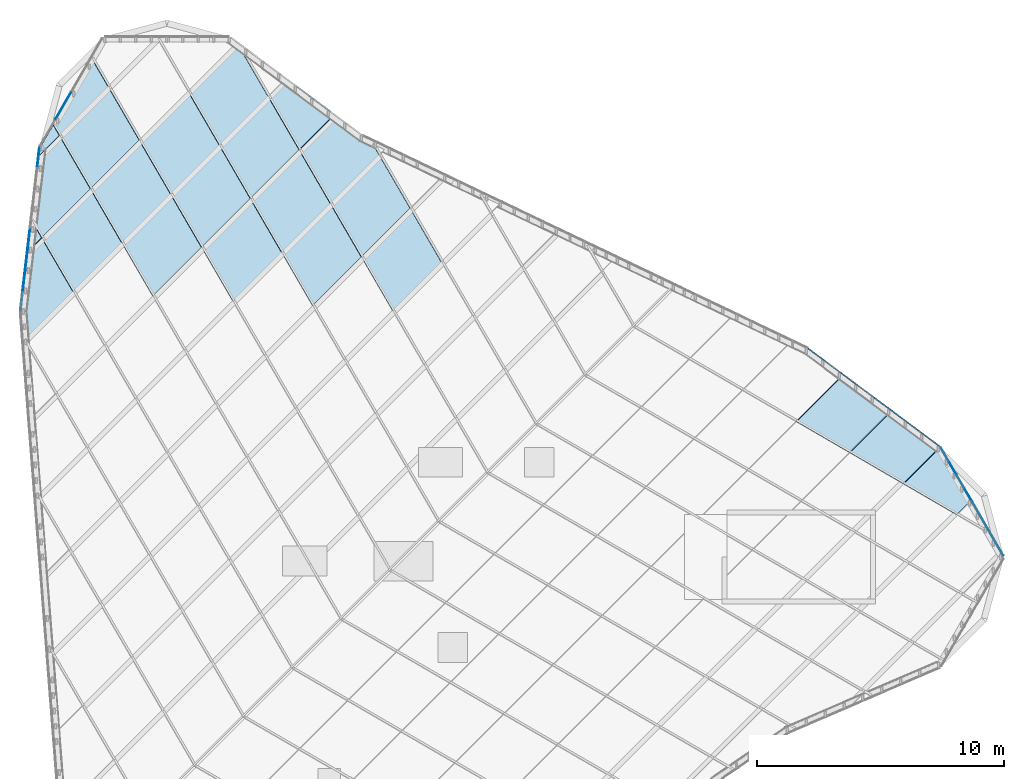
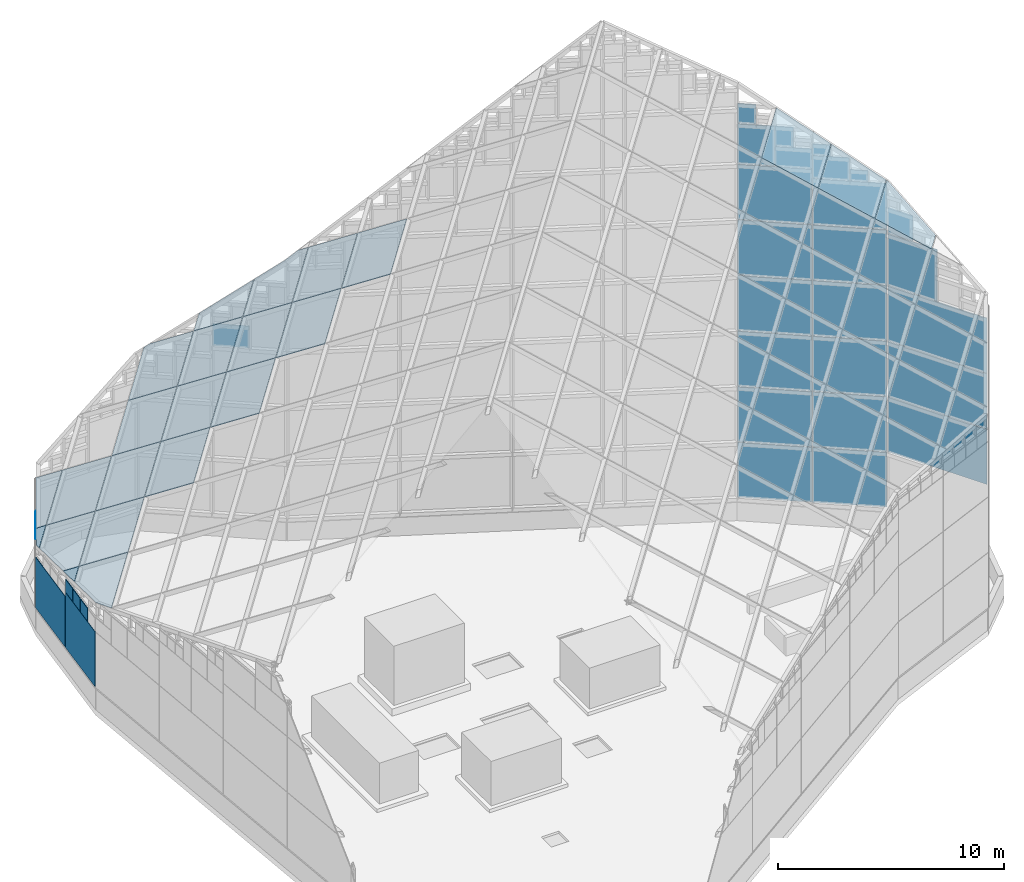
# One storey, part 20 of 29: 54 plates, 1 element without a shape of its own.
"""IFC4 building model written with IfcOpenShell, lengths in metres."""

from ifc_helpers import new_model, si_unit, direction, frame, origin, place, context, subcontext, project, spatial, polyline, outline, extrude, material, layer, layer_set, type_object, element, aggregate, save


model = new_model("IFC4")

# Units and contexts
model_context = context("Model", 3, precision=1e-05, world=origin(), true_north=direction((0.0, 1.0)))
body_context = subcontext(model_context, "Body", "Model", "MODEL_VIEW")
ifc_project = project(units=[si_unit("LENGTHUNIT", "METRE"), si_unit("AREAUNIT", "SQUARE_METRE"), si_unit("VOLUMEUNIT", "CUBIC_METRE"), si_unit("PLANEANGLEUNIT", "RADIAN"), si_unit("MASSUNIT", "GRAM", prefix="KILO")], contexts=[model_context])

# Site, building, storey
site_placement = place(None, origin())
site = spatial("IfcSite", under=ifc_project, at=site_placement, CompositionType="ELEMENT")
building_placement = place(site_placement, origin())
building = spatial("IfcBuilding", under=site, at=building_placement, Name="Tanit Gate Tower", CompositionType="ELEMENT")
storey_placement = place(building_placement, frame((0.0, 0.0, 445.300048828125)))
storey = spatial("IfcBuildingStorey", under=building, at=storey_placement, Name="ROOF", CompositionType="ELEMENT", Elevation=445.300048828125)

# Curtain wall, plates
ifc_material_1 = material(Name="Aluminium bronze anodised and glass", Category="aluminium")
curtain_wall_type = type_object("IfcCurtainWallType", Name="Curtain wall crown roof", PredefinedType="NOTDEFINED", material=ifc_material_1)
curtain_wall_placement = place(storey_placement, origin())
curtain_wall = element("IfcCurtainWall", 1, at=curtain_wall_placement, inside=storey, type_object=curtain_wall_type, Name="Crown lantern", PredefinedType="NOTDEFINED")
ifc_material_2 = material(Name="Glass tinted laminated safety", Category="glass")
ifc_layer = layer(ifc_material_2, 0.033935546875)
ifc_layer_set = layer_set([ifc_layer], Name="Glass panel 34 crown roof")
plate_type = type_object("IfcPlateType", Name="Glass panel 34 crown roof", PredefinedType="CURTAIN_PANEL", material=ifc_layer_set)
plate_1_placement = place(storey_placement, frame((21.721923828125, 4.491455078125, 1.21484375), z_axis=(0.597345125215, 0.801984289984, 0.0), x_axis=(-0.801984289984, 0.597345125215, 0.0)))
plate_1 = element("IfcPlate", 2, at=plate_1_placement, type_object=plate_type, Name="Lantern clerestory glass 1.1.1", PredefinedType="CURTAIN_PANEL", context=body_context, shape_type="SweptSolid", body=[
    extrude(outline(polyline([(0.0, 0.0), (3.2999204698284768, 0.0), (3.2999204698284768, 2.97021484375), (0.0, 2.97021484375), (0.0, 0.0)])), origin(), (0.0, 0.0, -1.0), 0.033935546875),
])
plate_2_placement = place(storey_placement, frame((21.721923828125, 4.491455078125, 4.21484375), z_axis=(0.597345125215, 0.801984289984, 0.0), x_axis=(-0.801984289984, 0.597345125215, 0.0)))
plate_2 = element("IfcPlate", 3, at=plate_2_placement, type_object=plate_type, Name="Lantern clerestory glass 1.2.1", PredefinedType="CURTAIN_PANEL", context=body_context, shape_type="SweptSolid", body=[
    extrude(outline(polyline([(0.0, 0.0), (3.2999204698284768, 0.0), (3.2999204698284768, 2.97021484375), (0.0, 2.97021484375), (0.0, 0.0)])), origin(), (0.0, 0.0, -1.0), 0.033935546875),
])
plate_3_placement = place(storey_placement, frame((21.721923828125, 4.491455078125, 7.21484375), z_axis=(0.597345125215, 0.801984289984, 0.0), x_axis=(-0.801984289984, 0.597345125215, 0.0)))
plate_3 = element("IfcPlate", 4, at=plate_3_placement, type_object=plate_type, Name="Lantern clerestory glass 1.3.1", PredefinedType="CURTAIN_PANEL", context=body_context, shape_type="SweptSolid", body=[
    extrude(outline(polyline([(0.0, 0.0), (3.2999204698284768, 0.0), (3.2999204698284768, 2.97021484375), (0.0, 2.97021484375), (0.0, 0.0)])), origin(), (0.0, 0.0, -1.0), 0.033935546875),
])
plate_4_placement = place(storey_placement, frame((21.721923828125, 4.491455078125, 10.21484375), z_axis=(0.597345125215, 0.801984289984, 0.0), x_axis=(-0.801984289984, 0.597345125215, 0.0)))
plate_4 = element("IfcPlate", 5, at=plate_4_placement, type_object=plate_type, Name="Lantern clerestory glass 1.4.1", PredefinedType="CURTAIN_PANEL", context=body_context, shape_type="SweptSolid", body=[
    extrude(outline(polyline([(0.0, 0.0), (3.2999204698284768, 0.0), (3.2999204698284768, 2.97021484375), (0.0, 2.97021484375), (0.0, 0.0)])), origin(), (0.0, 0.0, -1.0), 0.033935546875),
])
plate_5_placement = place(storey_placement, frame((21.721923828125, 4.491455078125, 13.21484375), z_axis=(0.597345125215, 0.801984289984, 0.0), x_axis=(-0.801984289984, 0.597345125215, 0.0)))
plate_5 = element("IfcPlate", 6, at=plate_5_placement, type_object=plate_type, Name="Lantern clerestory glass 1.5.1", PredefinedType="CURTAIN_PANEL", context=body_context, shape_type="SweptSolid", body=[
    extrude(outline(polyline([(0.0, 0.0), (3.2999204698284768, 0.0), (3.2999204698284768, 2.97021484375), (0.0, 2.97021484375), (0.0, 0.0)])), origin(), (0.0, 0.0, -1.0), 0.033935546875),
])
plate_6_placement = place(storey_placement, frame((21.721923828125, 4.491455078125, 16.21484375), z_axis=(0.597345125215, 0.801984289984, 0.0), x_axis=(-0.801984289984, 0.597345125215, 0.0)))
plate_6 = element("IfcPlate", 7, at=plate_6_placement, type_object=plate_type, Name="Lantern clerestory glass 1.6.1", PredefinedType="CURTAIN_PANEL", context=body_context, shape_type="SweptSolid", body=[
    extrude(outline(polyline([(0.0, 0.0), (3.2999204698284768, 0.0), (3.2999204698284768, 2.46826171875), (0.0, 2.46826171875), (0.0, 0.0)])), origin(), (0.0, 0.0, -1.0), 0.033935546875),
])
plate_7_placement = place(storey_placement, frame((21.05419921875, 4.98876953125, 18.713134765625), z_axis=(0.597270310349, 0.802040009211, 0.0), x_axis=(-0.802040009211, 0.597270310349, 0.0)))
plate_7 = element("IfcPlate", 8, at=plate_7_placement, type_object=plate_type, Name="Lantern clerestory glass 1.6.2", PredefinedType="CURTAIN_PANEL", context=body_context, shape_type="SweptSolid", body=[
    extrude(outline(polyline([(0.0, 0.0), (0.8023972371816375, 0.0), (0.8023972371816375, 0.594482421875), (0.0, 0.594482421875), (0.0, 0.0)])), origin(), (0.0, 0.0, -1.0), 0.033935546875),
])
plate_8_placement = place(storey_placement, frame((20.38671875, 5.486083984375, 18.713134765625), z_axis=(0.597296801812, 0.802020280632, 0.0), x_axis=(-0.802020280632, 0.597296801812, 0.0)))
plate_8 = element("IfcPlate", 9, at=plate_8_placement, type_object=plate_type, Name="Lantern clerestory glass 1.6.3", PredefinedType="CURTAIN_PANEL", context=body_context, shape_type="SweptSolid", body=[
    extrude(outline(polyline([(0.0, 0.0), (1.634970247686252, 0.0), (1.634970247686252, 1.2189941406249998), (0.0, 1.2189941406249998), (0.0, 0.0)])), origin(), (0.0, 0.0, -1.0), 0.033935546875),
])
plate_9_placement = place(storey_placement, frame((19.718994140625, 5.9833984375, 19.962158203125), z_axis=(0.597270310349, 0.802040009211, 0.0), x_axis=(-0.802040009211, 0.597270310349, 0.0)))
plate_9 = element("IfcPlate", 10, at=plate_9_placement, type_object=plate_type, Name="Lantern clerestory glass 1.6.4", PredefinedType="CURTAIN_PANEL", context=body_context, shape_type="SweptSolid", body=[
    extrude(outline(polyline([(0.0, 0.0), (0.8023972371816375, 0.0), (0.8023972371816375, 0.594482421875), (0.0, 0.594482421875), (0.0, 0.0)])), origin(), (0.0, 0.0, -1.0), 0.033935546875),
])
plate_10_placement = place(storey_placement, frame((19.05126953125, 6.48046875, 1.21484375), z_axis=(0.597392706867, 0.80194884736, 0.0), x_axis=(-0.80194884736, 0.597392706867, 0.0)))
plate_10 = element("IfcPlate", 11, at=plate_10_placement, type_object=plate_type, Name="Lantern clerestory glass 2.1.1", PredefinedType="CURTAIN_PANEL", context=body_context, shape_type="SweptSolid", body=[
    extrude(outline(polyline([(0.0, 0.0), (3.3000663118491227, 0.0), (3.3000663118491227, 2.97021484375), (0.0, 2.97021484375), (0.0, 0.0)])), origin(), (0.0, 0.0, -1.0), 0.033935546875),
])
plate_11_placement = place(storey_placement, frame((19.05126953125, 6.48046875, 4.21484375), z_axis=(0.597392706867, 0.80194884736, 0.0), x_axis=(-0.80194884736, 0.597392706867, 0.0)))
plate_11 = element("IfcPlate", 12, at=plate_11_placement, type_object=plate_type, Name="Lantern clerestory glass 2.2.1", PredefinedType="CURTAIN_PANEL", context=body_context, shape_type="SweptSolid", body=[
    extrude(outline(polyline([(0.0, 0.0), (3.3000663118491227, 0.0), (3.3000663118491227, 2.97021484375), (0.0, 2.97021484375), (0.0, 0.0)])), origin(), (0.0, 0.0, -1.0), 0.033935546875),
])
plate_12_placement = place(storey_placement, frame((19.05126953125, 6.48046875, 7.21484375), z_axis=(0.597392706867, 0.80194884736, 0.0), x_axis=(-0.80194884736, 0.597392706867, 0.0)))
plate_12 = element("IfcPlate", 13, at=plate_12_placement, type_object=plate_type, Name="Lantern clerestory glass 2.3.1", PredefinedType="CURTAIN_PANEL", context=body_context, shape_type="SweptSolid", body=[
    extrude(outline(polyline([(0.0, 0.0), (3.3000663118491227, 0.0), (3.3000663118491227, 2.97021484375), (0.0, 2.97021484375), (0.0, 0.0)])), origin(), (0.0, 0.0, -1.0), 0.033935546875),
])
plate_13_placement = place(storey_placement, frame((19.05126953125, 6.48046875, 10.21484375), z_axis=(0.597392706867, 0.80194884736, 0.0), x_axis=(-0.80194884736, 0.597392706867, 0.0)))
plate_13 = element("IfcPlate", 14, at=plate_13_placement, type_object=plate_type, Name="Lantern clerestory glass 2.4.1", PredefinedType="CURTAIN_PANEL", context=body_context, shape_type="SweptSolid", body=[
    extrude(outline(polyline([(0.0, 0.0), (3.3000663118491227, 0.0), (3.3000663118491227, 2.97021484375), (0.0, 2.97021484375), (0.0, 0.0)])), origin(), (0.0, 0.0, -1.0), 0.033935546875),
])
plate_14_placement = place(storey_placement, frame((19.05126953125, 6.48046875, 13.21484375), z_axis=(0.597392706867, 0.80194884736, 0.0), x_axis=(-0.80194884736, 0.597392706867, 0.0)))
plate_14 = element("IfcPlate", 15, at=plate_14_placement, type_object=plate_type, Name="Lantern clerestory glass 2.5.1", PredefinedType="CURTAIN_PANEL", context=body_context, shape_type="SweptSolid", body=[
    extrude(outline(polyline([(0.0, 0.0), (3.3000663118491227, 0.0), (3.3000663118491227, 2.97021484375), (0.0, 2.97021484375), (0.0, 0.0)])), origin(), (0.0, 0.0, -1.0), 0.033935546875),
])
plate_15_placement = place(storey_placement, frame((19.05126953125, 6.48046875, 16.21484375), z_axis=(0.597392706867, 0.80194884736, 0.0), x_axis=(-0.80194884736, 0.597392706867, 0.0)))
plate_15 = element("IfcPlate", 16, at=plate_15_placement, type_object=plate_type, Name="Lantern clerestory glass 2.6.1", PredefinedType="CURTAIN_PANEL", context=body_context, shape_type="SweptSolid", body=[
    extrude(outline(polyline([(0.0, 0.0), (3.3000663118491227, 0.0), (3.3000663118491227, 2.97021484375), (0.0, 2.97021484375), (0.0, 0.0)])), origin(), (0.0, 0.0, -1.0), 0.033935546875),
])
plate_16_placement = place(storey_placement, frame((19.05126953125, 6.48046875, 19.21484375), z_axis=(0.597392839743, 0.801948748377, 0.0), x_axis=(-0.801948748377, 0.597392839743, 0.0)))
plate_16 = element("IfcPlate", 17, at=plate_16_placement, type_object=plate_type, Name="Lantern clerestory glass 2.7.1", PredefinedType="CURTAIN_PANEL", context=body_context, shape_type="SweptSolid", body=[
    extrude(outline(polyline([(0.0, 0.0), (1.6351160838246601, 0.0), (1.6351160838246601, 1.065673828125), (0.0, 1.065673828125), (0.0, 0.0)])), origin(), (0.0, 0.0, -1.0), 0.033935546875),
])
plate_17_placement = place(storey_placement, frame((18.383544921875, 6.977783203125, 20.310302734375), z_axis=(0.597465980378, 0.801894258797, 0.0), x_axis=(-0.801894258797, 0.597465980378, 0.0)))
plate_17 = element("IfcPlate", 18, at=plate_17_placement, type_object=plate_type, Name="Lantern clerestory glass 2.7.3", PredefinedType="CURTAIN_PANEL", context=body_context, shape_type="SweptSolid", body=[
    extrude(outline(polyline([(0.0, 0.0), (0.8025430790161721, 0.0), (0.8025430790161721, 1.065673828125), (0.0, 1.065673828125), (0.0, 0.0)])), origin(), (0.0, 0.0, -1.0), 0.033935546875),
])
plate_18_placement = place(storey_placement, frame((17.716064453125, 7.47509765625, 19.21484375), z_axis=(0.597392839743, 0.801948748377, 0.0), x_axis=(-0.801948748377, 0.597392839743, 0.0)))
plate_18 = element("IfcPlate", 19, at=plate_18_placement, type_object=plate_type, Name="Lantern clerestory glass 2.7.4", PredefinedType="CURTAIN_PANEL", context=body_context, shape_type="SweptSolid", body=[
    extrude(outline(polyline([(0.0, 0.0), (1.6351160838246601, 0.0), (1.6351160838246601, 2.1611328125), (0.0, 2.1611328125), (0.0, 0.0)])), origin(), (0.0, 0.0, -1.0), 0.033935546875),
])
plate_19_placement = place(storey_placement, frame((17.04833984375, 7.972412109375, 21.40576171875), z_axis=(0.597465980378, 0.801894258797, 0.0), x_axis=(-0.801894258797, 0.597465980378, 0.0)))
plate_19 = element("IfcPlate", 20, at=plate_19_placement, type_object=plate_type, Name="Lantern clerestory glass 2.7.6", PredefinedType="CURTAIN_PANEL", context=body_context, shape_type="SweptSolid", body=[
    extrude(outline(polyline([(0.0, 0.0), (0.8025430790161721, 0.0), (0.8025430790161721, 1.065673828125), (0.0, 1.065673828125), (0.0, 0.0)])), origin(), (0.0, 0.0, -1.0), 0.033935546875),
])
plate_20_placement = place(storey_placement, frame((-2.972412109375, 18.072509765625, 10.21484375), z_axis=(0.597372270002, 0.801964070911, 0.0), x_axis=(-0.801964070911, 0.597372270002, 0.0)))
plate_20 = element("IfcPlate", 21, at=plate_20_placement, type_object=plate_type, Name="Lantern clerestory glass 8.4.2", PredefinedType="CURTAIN_PANEL", context=body_context, shape_type="SweptSolid", body=[
    extrude(outline(polyline([(0.0, 0.0), (1.6372158415500717, 0.0), (1.6372158415500717, 1.1857910156250002), (0.0, 1.1857910156250002), (0.0, 0.0)])), origin(), (0.0, 0.0, -1.0), 0.033935546875),
])
plate_21_placement = place(storey_placement, frame((-13.478271484375, 18.809814453125, 3.97705078125), z_axis=(-0.866692455151, 0.498842849186, 0.0), x_axis=(-0.498842849186, -0.866692455151, 0.0)))
plate_21 = element("IfcPlate", 22, at=plate_21_placement, type_object=plate_type, Name="Lantern clerestory glass 11.2.3", PredefinedType="CURTAIN_PANEL", context=body_context, shape_type="SweptSolid", body=[
    extrude(outline(polyline([(0.0, 0.0), (1.233812445400417, 0.0), (1.233812445400417, 0.66259765625), (0.0, 0.66259765625), (0.0, 0.0)])), origin(), (0.0, 0.0, -1.0), 0.033935546875),
])
plate_22_placement = place(storey_placement, frame((-14.750732421875, 16.566162109375, 1.21484375), z_axis=(-0.993215087549, 0.116291830599, 0.0), x_axis=(-0.116291830599, -0.993215087549, 0.0)))
plate_22 = element("IfcPlate", 23, at=plate_22_placement, type_object=plate_type, Name="Lantern clerestory glass 12.1.1", PredefinedType="CURTAIN_PANEL", context=body_context, shape_type="SweptSolid", body=[
    extrude(outline(polyline([(0.0, 0.0), (3.300223760532478, 0.0), (3.300223760532478, 2.732177734375), (0.0, 2.732177734375), (0.0, 0.0)])), origin(), (0.0, 0.0, -1.0), 0.033935546875),
])
plate_23_placement = place(storey_placement, frame((-15.137939453125, 13.258544921875, 1.21484375), z_axis=(-0.99321408699, 0.116300375773, 0.0), x_axis=(-0.116300375773, -0.99321408699, 0.0)))
plate_23 = element("IfcPlate", 24, at=plate_23_placement, type_object=plate_type, Name="Lantern clerestory glass 13.1.1", PredefinedType="CURTAIN_PANEL", context=body_context, shape_type="SweptSolid", body=[
    extrude(outline(polyline([(0.0, 0.0), (3.299981276502378, 0.0), (3.299981276502378, 2.9702148437499996), (0.0, 2.9702148437499996), (0.0, 0.0)])), origin(), (0.0, 0.0, -1.0), 0.033935546875),
])
plate_24_placement = place(storey_placement, frame((-15.137939453125, 13.258544921875, 4.21484375), z_axis=(-0.993189999355, 0.116505901915, 0.0), x_axis=(-0.116505901915, -0.993189999355, 0.0)))
plate_24 = element("IfcPlate", 25, at=plate_24_placement, type_object=plate_type, Name="Lantern clerestory glass 13.2.1", PredefinedType="CURTAIN_PANEL", context=body_context, shape_type="SweptSolid", body=[
    extrude(outline(polyline([(0.0, 0.0), (0.8025847432440988, 0.0), (0.8025847432440988, 0.691162109375), (0.0, 0.691162109375), (0.0, 0.0)])), origin(), (0.0, 0.0, -1.0), 0.033935546875),
])
plate_25_placement = place(storey_placement, frame((-15.23486328125, 12.431640625, 4.21484375), z_axis=(-0.99322104443, 0.116240943313, 0.0), x_axis=(-0.116240943313, -0.99322104443, 0.0)))
plate_25 = element("IfcPlate", 26, at=plate_25_placement, type_object=plate_type, Name="Lantern clerestory glass 13.2.2", PredefinedType="CURTAIN_PANEL", context=body_context, shape_type="SweptSolid", body=[
    extrude(outline(polyline([(0.0, 0.0), (0.8023138499422805, 0.0), (0.8023138499422805, 0.691162109375), (0.0, 0.691162109375), (0.0, 0.0)])), origin(), (0.0, 0.0, -1.0), 0.033935546875),
])
plate_26_placement = place(storey_placement, frame((-15.33154296875, 11.60498046875, 4.21484375), z_axis=(-0.993189999355, 0.116505901915, 0.0), x_axis=(-0.116505901915, -0.993189999355, 0.0)))
plate_26 = element("IfcPlate", 27, at=plate_26_placement, type_object=plate_type, Name="Lantern clerestory glass 13.2.3", PredefinedType="CURTAIN_PANEL", context=body_context, shape_type="SweptSolid", body=[
    extrude(outline(polyline([(0.0, 0.0), (0.8025847432440988, 0.0), (0.8025847432440988, 0.691162109375), (0.0, 0.691162109375), (0.0, 0.0)])), origin(), (0.0, 0.0, -1.0), 0.033935546875),
])
plate_27_placement = place(storey_placement, frame((24.295166015625, 0.080078125, 4.21484375), z_axis=(0.865434046351, 0.501022865163, 0.0), x_axis=(-0.501022865163, 0.865434046351, 0.0)))
plate_27 = element("IfcPlate", 28, at=plate_27_placement, type_object=plate_type, Name="Lantern clerestory glass 32.2.1", PredefinedType="CURTAIN_PANEL", context=body_context, shape_type="SweptSolid", body=[
    extrude(outline(polyline([(0.0, 0.0), (5.025363991730172, 0.0), (5.025363991730172, 2.9702148437500004), (0.0, 2.9702148437500004), (0.0, 0.0)])), origin(), (0.0, 0.0, -1.0), 0.033935546875),
])
plate_28_placement = place(storey_placement, frame((24.295166015625, 0.080078125, 7.21484375), z_axis=(0.865434046351, 0.501022865163, 0.0), x_axis=(-0.501022865163, 0.865434046351, 0.0)))
plate_28 = element("IfcPlate", 29, at=plate_28_placement, type_object=plate_type, Name="Lantern clerestory glass 32.3.1", PredefinedType="CURTAIN_PANEL", context=body_context, shape_type="SweptSolid", body=[
    extrude(outline(polyline([(0.0, 0.0), (5.025363991730172, 0.0), (5.025363991730172, 2.9702148437500004), (0.0, 2.9702148437500004), (0.0, 0.0)])), origin(), (0.0, 0.0, -1.0), 0.033935546875),
])
plate_29_placement = place(storey_placement, frame((24.295166015625, 0.080078125, 10.21484375), z_axis=(0.865434046351, 0.501022865163, 0.0), x_axis=(-0.501022865163, 0.865434046351, 0.0)))
plate_29 = element("IfcPlate", 30, at=plate_29_placement, type_object=plate_type, Name="Lantern clerestory glass 32.4.1", PredefinedType="CURTAIN_PANEL", context=body_context, shape_type="SweptSolid", body=[
    extrude(outline(polyline([(0.0, 0.0), (5.025363991730172, 0.0), (5.025363991730172, 2.9702148437500004), (0.0, 2.9702148437500004), (0.0, 0.0)])), origin(), (0.0, 0.0, -1.0), 0.033935546875),
])
plate_30_placement = place(storey_placement, frame((23.02880859375, 2.267578125, 13.21484375), z_axis=(0.865426285481, 0.501036270542, 0.0), x_axis=(-0.501036270542, 0.865426285481, 0.0)))
plate_30 = element("IfcPlate", 31, at=plate_30_placement, type_object=plate_type, Name="Lantern clerestory glass 32.5.6", PredefinedType="CURTAIN_PANEL", context=body_context, shape_type="SweptSolid", body=[
    extrude(outline(polyline([(0.0, 0.0), (2.497752991808269, 0.0), (2.497752991808269, 2.775390625), (0.0, 2.775390625), (0.0, 0.0)])), origin(), (0.0, 0.0, -1.0), 0.033935546875),
])
plate_31_placement = place(storey_placement, frame((22.3955078125, 3.361328125, 16.020263671875), z_axis=(0.865453377509, 0.500989472303, 0.0), x_axis=(-0.500989472303, 0.865453377509, 0.0)))
plate_31 = element("IfcPlate", 32, at=plate_31_placement, type_object=plate_type, Name="Lantern clerestory glass 32.5.8", PredefinedType="CURTAIN_PANEL", context=body_context, shape_type="SweptSolid", body=[
    extrude(outline(polyline([(0.0, 0.0), (1.2338863322986138, 0.0), (1.2338863322986138, 1.37255859375), (0.0, 1.37255859375), (0.0, 0.0)])), origin(), (0.0, 0.0, -1.0), 0.033935546875),
])
plate_32_placement = place(storey_placement, frame((-15.36083984375, 8.782470703125, 6.16650390625), z_axis=(-0.624440287799, 0.207470402469, 0.753014182518), x_axis=(0.658448807205, 0.658406655754, 0.36461739392)))
plate_32 = element("IfcPlate", 33, at=plate_32_placement, type_object=plate_type, Name="Lantern roof glass E5.8.1", PredefinedType="CURTAIN_PANEL", context=body_context, shape_type="SweptSolid", body=[
    extrude(outline(polyline([(0.0, 0.0), (2.9960583443607276, 0.0), (2.9960611359916545, 2.971889128489978), (2.1478489458814716, 2.972041932515391), (0.5599465768435852, 1.1435343251563286), (6.694009357923608e-05, 0.050530502933391674), (0.0, 0.0)])), origin(), (0.0, 0.0, -1.0), 0.033935546875),
])
plate_33_placement = place(storey_placement, frame((-15.19091796875, 12.383056640625, 5.3154296875), z_axis=(-0.624328163065, 0.207436497924, 0.753116487758), x_axis=(0.658461625565, 0.658461625565, 0.364494959246)))
plate_33 = element("IfcPlate", 34, at=plate_33_placement, type_object=plate_type, Name="Lantern roof glass E5.9.1", PredefinedType="CURTAIN_PANEL", context=body_context, shape_type="SweptSolid", body=[
    extrude(outline(polyline([(0.0, 0.0), (0.8238604159875191, -2.7755575615628914e-17), (0.8238659144347257, 0.948598462779176), (0.0, 0.0)])), origin(), (0.0, 0.0, -1.0), 0.033935546875),
])
plate_34_placement = place(storey_placement, frame((-12.66162109375, 14.880615234375, 6.72509765625), z_axis=(-0.624515927688, 0.20743378819, 0.752961539244), x_axis=(-0.658376280356, -0.658450740312, -0.364668748382)))
plate_34 = element("IfcPlate", 35, at=plate_34_placement, type_object=plate_type, Name="Lantern roof glass E6.8.1", PredefinedType="CURTAIN_PANEL", context=body_context, shape_type="SweptSolid", body=[
    extrude(outline(polyline([(0.0, 0.0), (2.995897607356133, -4.440892098500626e-16), (2.9960021381131456, 2.971889129247317), (0.0002652853322840931, 2.972065758509806), (0.0, 0.0)])), origin(), (0.0, 0.0, -1.0), 0.033935546875),
])
plate_35_placement = place(storey_placement, frame((-14.64599609375, 12.92822265625, 5.6171875), z_axis=(-0.624492108953, 0.207458859783, 0.752974386917), x_axis=(0.658413692851, 0.658418321232, 0.364659736373)))
plate_35 = element("IfcPlate", 36, at=plate_35_placement, type_object=plate_type, Name="Lantern roof glass E6.9.1", PredefinedType="CURTAIN_PANEL", context=body_context, shape_type="SweptSolid", body=[
    extrude(outline(polyline([(0.0, 0.0), (2.99605834816021, 0.0), (2.996061133246974, 2.971889131110294), (1.7531828661775566, 2.971827560918174), (5.520632397978953e-05, 0.9532603749015299), (0.0, 0.0)])), origin(), (0.0, 0.0, -1.0), 0.033935546875),
])
plate_36_placement = place(storey_placement, frame((-14.73583984375, 16.26904296875, 4.6220703125), z_axis=(-0.62433964313, 0.207324545983, 0.753137797915), x_axis=(0.658462640763, 0.658396121005, 0.364611435044)))
plate_36 = element("IfcPlate", 37, at=plate_36_placement, type_object=plate_type, Name="Lantern roof glass E6.10.1", PredefinedType="CURTAIN_PANEL", context=body_context, shape_type="SweptSolid", body=[
    extrude(outline(polyline([(0.0, 0.0), (1.2184547614624217, 0.0), (1.218275239369834, 0.5842626055557032), (0.217052408960035, 0.24988277361605965), (0.0, 0.0)])), origin(), (0.0, 0.0, -1.0), 0.033935546875),
])
plate_37_placement = place(storey_placement, frame((-9.426025390625, 14.685302734375, 9.46240234375), z_axis=(-0.624497541638, 0.207432583406, 0.75297712039), x_axis=(-0.658401277379, -0.658422445259, -0.36467470645)))
plate_37 = element("IfcPlate", 38, at=plate_37_placement, type_object=plate_type, Name="Lantern roof glass E7.7.1", PredefinedType="CURTAIN_PANEL", context=body_context, shape_type="SweptSolid", body=[
    extrude(outline(polyline([(0.0, 0.0), (2.996058347236732, 0.0), (2.995900388007219, 2.971991701410875), (2.783269846928782e-06, 2.971889130214496), (0.0, 0.0)])), origin(), (0.0, 0.0, -1.0), 0.033935546875),
])
plate_38_placement = place(storey_placement, frame((-10.686279296875, 16.855712890625, 7.819091796875), z_axis=(-0.624482419816, 0.207467295153, 0.75298009853), x_axis=(-0.65844721454, -0.658372755719, -0.364681477719)))
plate_38 = element("IfcPlate", 39, at=plate_38_placement, type_object=plate_type, Name="Lantern roof glass E7.8.1", PredefinedType="CURTAIN_PANEL", context=body_context, shape_type="SweptSolid", body=[
    extrude(outline(polyline([(0.0, 0.0), (2.995897607356099, -1.1102230246251565e-16), (2.9958859090625203, 2.972065770326376), (-0.00017243382964271525, 2.971889126083176), (0.0, 0.0)])), origin(), (0.0, 0.0, -1.0), 0.033935546875),
])
plate_39_placement = place(storey_placement, frame((-11.946533203125, 19.0263671875, 6.17578125), z_axis=(-0.624482419816, 0.207467295153, 0.75298009853), x_axis=(-0.658422445825, -0.658415413377, -0.364649182449)))
plate_39 = element("IfcPlate", 40, at=plate_39_placement, type_object=plate_type, Name="Lantern roof glass E7.9.1", PredefinedType="CURTAIN_PANEL", context=body_context, shape_type="SweptSolid", body=[
    extrude(outline(polyline([(0.0, 0.0), (2.996058348099536, 2.220446049250313e-16), (2.996061133523144, 2.9718891310843154), (0.00016353137413971375, 2.972065765850422), (0.0, 0.0)])), origin(), (0.0, 0.0, -1.0), 0.033935546875),
])
plate_40_placement = place(storey_placement, frame((-13.930908203125, 17.073974609375, 5.06787109375), z_axis=(-0.624540443498, 0.207487471022, 0.752926413273), x_axis=(0.658380276128, 0.658449412501, 0.364663931837)))
plate_40 = element("IfcPlate", 41, at=plate_40_placement, type_object=plate_type, Name="Lantern roof glass E7.10.1", PredefinedType="CURTAIN_PANEL", context=body_context, shape_type="SweptSolid", body=[
    extrude(outline(polyline([(0.0, 0.0), (2.9958976071328296, -2.220446049250313e-16), (2.996024102881466, 1.5856355407527605), (-9.911964906028636e-05, 0.585575490483336), (0.0, 0.0)])), origin(), (0.0, 0.0, -1.0), 0.033935546875),
])
plate_41_placement = place(storey_placement, frame((-6.1904296875, 14.489990234375, 12.19970703125), z_axis=(-0.624497541638, 0.207432583406, 0.75297712039), x_axis=(-0.658401277379, -0.658422445259, -0.36467470645)))
plate_41 = element("IfcPlate", 42, at=plate_41_placement, type_object=plate_type, Name="Lantern roof glass E8.6.1", PredefinedType="CURTAIN_PANEL", context=body_context, shape_type="SweptSolid", body=[
    extrude(outline(polyline([(0.0, 0.0), (2.996058347236732, 0.0), (2.995900388007219, 2.971991701410875), (2.783269846928782e-06, 2.971889130214496), (0.0, 0.0)])), origin(), (0.0, 0.0, -1.0), 0.033935546875),
])
plate_42_placement = place(storey_placement, frame((-7.45068359375, 16.66064453125, 10.556396484375), z_axis=(-0.624484405654, 0.207455564846, 0.752981683515), x_axis=(-0.658417167069, -0.658417167069, -0.364655547356)))
plate_42 = element("IfcPlate", 43, at=plate_42_placement, type_object=plate_type, Name="Lantern roof glass E8.7.1", PredefinedType="CURTAIN_PANEL", context=body_context, shape_type="SweptSolid", body=[
    extrude(outline(polyline([(0.0, 0.0), (2.9960583482065744, -2.220446049250313e-16), (2.9962218797947853, 2.9720657659583116), (0.0001635315882106969, 2.972065765958312), (0.0, 0.0)])), origin(), (0.0, 0.0, -1.0), 0.033935546875),
])
plate_43_placement = place(storey_placement, frame((-8.7109375, 18.8310546875, 8.9130859375), z_axis=(-0.624491565552, 0.207467895005, 0.752972348162), x_axis=(-0.658417167069, -0.658417167069, -0.364655547356)))
plate_43 = element("IfcPlate", 44, at=plate_43_placement, type_object=plate_type, Name="Lantern roof glass E8.8.1", PredefinedType="CURTAIN_PANEL", context=body_context, shape_type="SweptSolid", body=[
    extrude(outline(polyline([(0.0, 0.0), (2.9960583482065744, -1.1102230246251565e-16), (2.9960611334161062, 2.971889131192224), (2.7852095315639147e-06, 2.9718891311922246), (0.0, 0.0)])), origin(), (0.0, 0.0, -1.0), 0.033935546875),
])
plate_44_placement = place(storey_placement, frame((-2.954833984375, 14.294921875, 14.93701171875), z_axis=(-0.624490382617, 0.207420255659, 0.75298645377), x_axis=(-0.658401277743, -0.658422444885, -0.364674706468)))
plate_44 = element("IfcPlate", 45, at=plate_44_placement, type_object=plate_type, Name="Lantern roof glass E9.5.1", PredefinedType="CURTAIN_PANEL", context=body_context, shape_type="SweptSolid", body=[
    extrude(outline(polyline([(0.0, 0.0), (2.996058347236754, 0.0), (2.9960611343859274, 2.972168338774962), (0.00016352964862254016, 2.97206576498077), (0.0, 0.0)])), origin(), (0.0, 0.0, -1.0), 0.033935546875),
])
plate_45_placement = place(storey_placement, frame((-4.215087890625, 16.46533203125, 13.293701171875), z_axis=(-0.624491565552, 0.207467895005, 0.752972348162), x_axis=(-0.658417167069, -0.658417167069, -0.364655547356)))
plate_45 = element("IfcPlate", 46, at=plate_45_placement, type_object=plate_type, Name="Lantern roof glass E9.6.1", PredefinedType="CURTAIN_PANEL", context=body_context, shape_type="SweptSolid", body=[
    extrude(outline(polyline([(0.0, 0.0), (2.9960583482065744, -1.1102230246251565e-16), (2.9960611334161062, 2.971889131192224), (2.7852095315639147e-06, 2.9718891311922246), (0.0, 0.0)])), origin(), (0.0, 0.0, -1.0), 0.033935546875),
])
plate_46_placement = place(storey_placement, frame((-5.4755859375, 18.6357421875, 11.650390625), z_axis=(-0.624497541638, 0.207432583406, 0.75297712039), x_axis=(-0.658386892856, -0.658447215485, -0.364655952559)))
plate_46 = element("IfcPlate", 47, at=plate_46_placement, type_object=plate_type, Name="Lantern roof glass E9.7.1", PredefinedType="CURTAIN_PANEL", context=body_context, shape_type="SweptSolid", body=[
    extrude(outline(polyline([(0.0, 0.0), (2.9958976064932474, 2.220446049250313e-16), (2.9960021389760603, 2.9718891283774), (-5.620650470061772e-05, 2.9719917050770945), (0.0, 0.0)])), origin(), (0.0, 0.0, -1.0), 0.033935546875),
])
plate_47_placement = place(storey_placement, frame((-6.81298828125, 20.72900390625, 9.96435546875), z_axis=(-0.62449611556, 0.207452558751, 0.752972799986), x_axis=(-0.658435111585, -0.658375039217, -0.364699206976)))
plate_47 = element("IfcPlate", 48, at=plate_47_placement, type_object=plate_type, Name="Lantern roof glass E9.8.1", PredefinedType="CURTAIN_PANEL", context=body_context, shape_type="SweptSolid", body=[
    extrude(outline(polyline([(0.0, 0.0), (2.8787261293406337, -1.1102230246251565e-16), (2.87870559043938, 2.9720657703002713), (-0.11735275177069715, 2.97188021357131), (-0.11729204713445505, 0.3277795380803399), (0.0, 0.0)])), origin(), (0.0, 0.0, -1.0), 0.033935546875),
])
plate_48_placement = place(storey_placement, frame((0.28076171875, 14.099609375, 17.67431640625), z_axis=(-0.624491565552, 0.207467895005, 0.752972348162), x_axis=(-0.658417167069, -0.658417167069, -0.364655547356)))
plate_48 = element("IfcPlate", 49, at=plate_48_placement, type_object=plate_type, Name="Lantern roof glass E10.4.1", PredefinedType="CURTAIN_PANEL", context=body_context, shape_type="SweptSolid", body=[
    extrude(outline(polyline([(0.0, 0.0), (2.9960583482065744, -1.1102230246251565e-16), (2.9960611334161062, 2.971889131192224), (2.7852095315639147e-06, 2.9718891311922246), (0.0, 0.0)])), origin(), (0.0, 0.0, -1.0), 0.033935546875),
])
plate_49_placement = place(storey_placement, frame((-0.9794921875, 16.27001953125, 16.031005859375), z_axis=(-0.624491565552, 0.207467895005, 0.752972348162), x_axis=(-0.658417167069, -0.658417167069, -0.364655547356)))
plate_49 = element("IfcPlate", 50, at=plate_49_placement, type_object=plate_type, Name="Lantern roof glass E10.5.1", PredefinedType="CURTAIN_PANEL", context=body_context, shape_type="SweptSolid", body=[
    extrude(outline(polyline([(0.0, 0.0), (2.9960583482065744, -1.1102230246251565e-16), (2.9960611334161062, 2.971889131192224), (2.7852095315639147e-06, 2.9718891311922246), (0.0, 0.0)])), origin(), (0.0, 0.0, -1.0), 0.033935546875),
])
plate_50_placement = place(storey_placement, frame((-2.88037109375, 17.800048828125, 14.032958984375), z_axis=(-0.624504415671, 0.207410455236, 0.752977514848), x_axis=(-0.658396866114, -0.658413591303, -0.364698655712)))
plate_50 = element("IfcPlate", 51, at=plate_50_placement, type_object=plate_type, Name="Lantern roof glass E10.6.1", PredefinedType="CURTAIN_PANEL", context=body_context, shape_type="SweptSolid", body=[
    extrude(outline(polyline([(0.0, 0.0), (2.023104783503746, 0.0), (2.0232157948809446, 2.9720657676681688), (-0.9728425499052621, 2.9720128263968815), (-0.9727770899879616, 2.3686804798463537), (-0.5957979130847733, 1.666890907377908), (0.0, 0.0)])), origin(), (0.0, 0.0, -1.0), 0.033935546875),
])
plate_51_placement = place(storey_placement, frame((-4.8466796875, 19.2646484375, 11.99853515625), z_axis=(-0.624447946273, 0.207526094475, 0.752992485027), x_axis=(-0.658428702724, -0.658461853858, -0.364554015809)))
plate_51 = element("IfcPlate", 52, at=plate_51_placement, type_object=plate_type, Name="Lantern roof glass E10.7.1", PredefinedType="CURTAIN_PANEL", context=body_context, shape_type="SweptSolid", body=[
    extrude(outline(polyline([(0.0, 0.0), (0.9510476025592758, 2.7755575615628914e-17), (0.9512973544590554, 2.9718891204575804), (-1.0619524467925487, 2.9721885351803863), (0.0, 0.0)])), origin(), (0.0, 0.0, -1.0), 0.033935546875),
])
plate_52_placement = place(storey_placement, frame((18.052734375, 4.23388671875, 19.86376953125), z_axis=(0.2074844507, -0.6244998047, 0.752960952937), x_axis=(0.658367377617, 0.658446740935, 0.364692041924)))
plate_52 = element("IfcPlate", 53, at=plate_52_placement, type_object=plate_type, Name="Lantern roof glass W15.4.1", PredefinedType="CURTAIN_PANEL", context=body_context, shape_type="SweptSolid", body=[
    extrude(outline(polyline([(0.0, 0.0), (2.400756521626367, -5.551115123125783e-17), (2.7081773660584236, 2.9717480721731393), (0.0002006040069542081, 2.9718891237245777), (0.0, 0.0)])), origin(), (0.0, 0.0, -1.0), 0.033935546875),
])
plate_53_placement = place(storey_placement, frame((20.22314453125, 2.9736328125, 18.220458984375), z_axis=(0.207441959643, -0.62451092622, 0.752963436304), x_axis=(0.658402319397, 0.658409118127, 0.364696886441)))
plate_53 = element("IfcPlate", 54, at=plate_53_placement, type_object=plate_type, Name="Lantern roof glass W15.5.1", PredefinedType="CURTAIN_PANEL", context=body_context, shape_type="SweptSolid", body=[
    extrude(outline(polyline([(0.0, 0.0), (2.0906082180459125, 1.1102230246251565e-16), (2.39807559952504, 2.9718624454112206), (8.638719595166489e-05, 2.9718891298888663), (0.0, 0.0)])), origin(), (0.0, 0.0, -1.0), 0.033935546875),
])
plate_54_placement = place(storey_placement, frame((22.393798828125, 1.713134765625, 16.5771484375), z_axis=(0.207474841836, -0.624490291796, 0.752971490468), x_axis=(0.658342351525, 0.658463175378, 0.36470754703)))
plate_54 = element("IfcPlate", 55, at=plate_54_placement, type_object=plate_type, Name="Lantern roof glass W15.6.1", PredefinedType="CURTAIN_PANEL", context=body_context, shape_type="SweptSolid", body=[
    extrude(outline(polyline([(0.0, 0.0), (0.7487870750904697, 0.0), (2.078370785006417, 2.877292105986136), (2.088141096538379, 2.971899173440951), (0.00030020347251669133, 2.97216831660837), (0.0, 0.0)])), origin(), (0.0, 0.0, -1.0), 0.033935546875),
])
aggregate(curtain_wall, [plate_1, plate_2, plate_3, plate_4, plate_5, plate_6, plate_7, plate_8, plate_9, plate_10, plate_11, plate_12, plate_13, plate_14, plate_15, plate_16, plate_17, plate_18, plate_19, plate_20, plate_21, plate_22, plate_23, plate_24, plate_25, plate_26, plate_27, plate_28, plate_29, plate_30, plate_31, plate_32, plate_33, plate_34, plate_35, plate_36, plate_37, plate_38, plate_39, plate_40, plate_41, plate_42, plate_43, plate_44, plate_45, plate_46, plate_47, plate_48, plate_49, plate_50, plate_51, plate_52, plate_53, plate_54])

save(model, "model.ifc")
